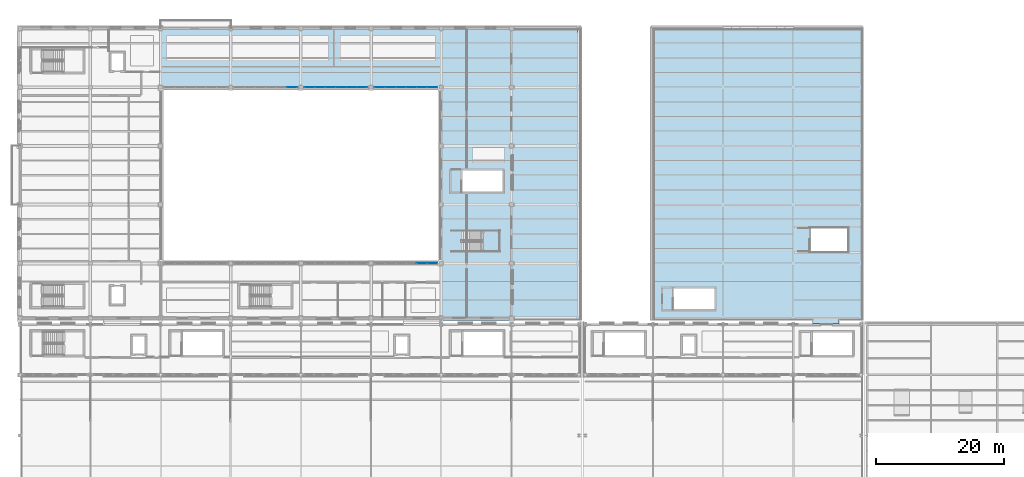
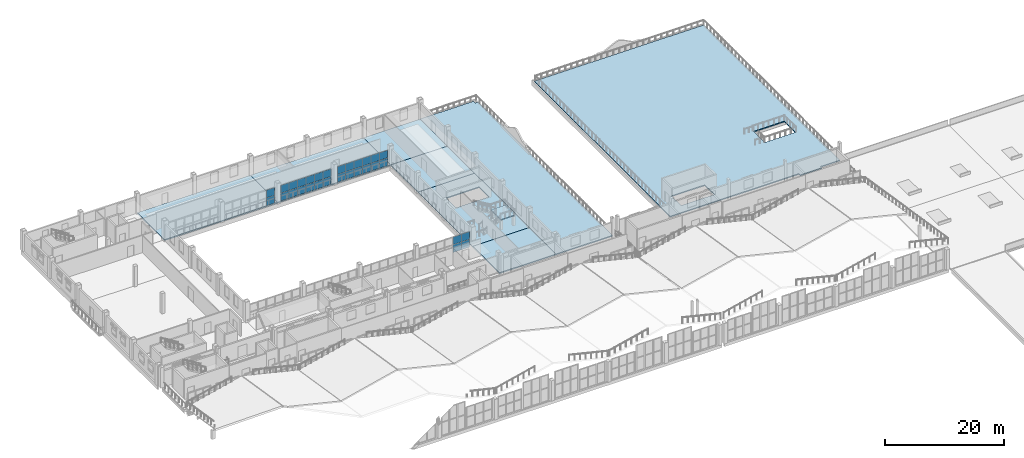
# One storey, part 87 of 120: 30 plates, 9 slabs, 5 elements without a shape of their own.
"""IFC4 building model written with IfcOpenShell, lengths in metres."""

from ifc_helpers import new_model, si_unit, direction, frame, origin, origin_2d, place, context, subcontext, project, spatial, polyline, rectangle, outline, extrude, material, layer, layer_set, type_object, element, aggregate, save


model = new_model("IFC4")

# Units and contexts
model_context = context("Model", 3, precision=1e-05, world=origin(), true_north=direction((0.0, 1.0)))
body_context = subcontext(model_context, "Body", "Model", "MODEL_VIEW")
ifc_project = project(units=[si_unit("LENGTHUNIT", "METRE"), si_unit("AREAUNIT", "SQUARE_METRE"), si_unit("VOLUMEUNIT", "CUBIC_METRE"), si_unit("PLANEANGLEUNIT", "RADIAN"), si_unit("MASSUNIT", "GRAM", prefix="KILO")], contexts=[model_context])

# Site, building, storey
site_placement = place(None, origin())
site = spatial("IfcSite", under=ifc_project, at=site_placement, CompositionType="ELEMENT")
building_placement = place(site_placement, origin())
building = spatial("IfcBuilding", under=site, at=building_placement, Name="Caurita Quay Ferry Terminal", CompositionType="ELEMENT")
storey_placement = place(building_placement, frame((0.0, 0.0, 9.89990234375)))
storey = spatial("IfcBuildingStorey", under=building, at=storey_placement, Name="L02", CompositionType="ELEMENT", Elevation=9.89990234375)

# Curtain wall, plates
ifc_material_1 = material(Name="Laminated solar-control insulated glass", Category="glass")
curtain_wall_type = type_object("IfcCurtainWallType", Name="CW-SYS-24", PredefinedType="NOTDEFINED", material=ifc_material_1)
curtain_wall_1_placement = place(storey_placement, origin())
curtain_wall_1 = element("IfcCurtainWall", 1, at=curtain_wall_1_placement, inside=storey, type_object=curtain_wall_type, Name="L02 Courtyard Cloister Storefront 167", PredefinedType="NOTDEFINED")
ifc_layer_1 = layer(ifc_material_1, 0.02392578125, Name="Laminated low-e hurricane-rated glazing unit 24 mm")
ifc_layer_set_1 = layer_set([ifc_layer_1], Name="Laminated solar-control insulated glass")
plate_type = type_object("IfcPlateType", Name="CW-PNL-24", PredefinedType="CURTAIN_PANEL", material=ifc_layer_set_1)
plate_1_placement = place(storey_placement, frame((62.97509765625, 80.199951171875, 0.05810546875), z_axis=(0.0, 0.0, 1.0), x_axis=(1.0, 0.0, 0.0)))
plate_1 = element("IfcPlate", 2, at=plate_1_placement, type_object=plate_type, Name="CW-CRT-167 Glazing Panel 9", PredefinedType="CURTAIN_PANEL", context=body_context, shape_type="SweptSolid", body=[
    extrude(rectangle(XDim=1.593994140625, YDim=0.02392578125, at=origin_2d()), origin(), (0.0, 0.0, 1.0), 1.56396484375),
])
plate_2_placement = place(storey_placement, frame((62.97509765625, 80.199951171875, 1.67822265625), z_axis=(0.0, 0.0, 1.0), x_axis=(1.0, 0.0, 0.0)))
plate_2 = element("IfcPlate", 3, at=plate_2_placement, type_object=plate_type, Name="CW-CRT-167 Glazing Panel 10", PredefinedType="CURTAIN_PANEL", context=body_context, shape_type="SweptSolid", body=[
    extrude(rectangle(XDim=1.593994140625, YDim=0.02392578125, at=origin_2d()), origin(), (0.0, 0.0, 1.0), 1.56396484375),
])
plate_3_placement = place(storey_placement, frame((64.610107421875, 80.199951171875, 0.05810546875), z_axis=(0.0, 0.0, 1.0), x_axis=(1.0, 0.0, 0.0)))
plate_3 = element("IfcPlate", 4, at=plate_3_placement, type_object=plate_type, Name="CW-CRT-167 Glazing Panel 11", PredefinedType="CURTAIN_PANEL", context=body_context, shape_type="SweptSolid", body=[
    extrude(rectangle(XDim=1.56396484375, YDim=0.02392578125, at=origin_2d()), origin(), (0.0, 0.0, 1.0), 1.56396484375),
])
plate_4_placement = place(storey_placement, frame((64.610107421875, 80.199951171875, 1.67822265625), z_axis=(0.0, 0.0, 1.0), x_axis=(1.0, 0.0, 0.0)))
plate_4 = element("IfcPlate", 5, at=plate_4_placement, type_object=plate_type, Name="CW-CRT-167 Glazing Panel 12", PredefinedType="CURTAIN_PANEL", context=body_context, shape_type="SweptSolid", body=[
    extrude(rectangle(XDim=1.56396484375, YDim=0.02392578125, at=origin_2d()), origin(), (0.0, 0.0, 1.0), 1.56396484375),
])
aggregate(curtain_wall_1, [plate_1, plate_2, plate_3, plate_4])

curtain_wall_2_placement = place(storey_placement, origin())
curtain_wall_2 = element("IfcCurtainWall", 6, at=curtain_wall_2_placement, inside=storey, type_object=curtain_wall_type, Name="L02 Courtyard Cloister Storefront 169", PredefinedType="NOTDEFINED")
plate_5_placement = place(storey_placement, frame((42.610107421875, 107.800048828125, 0.05810546875), z_axis=(0.0, 0.0, 1.0), x_axis=(1.0, 0.0, 0.0)))
plate_5 = element("IfcPlate", 7, at=plate_5_placement, type_object=plate_type, Name="CW-CRT-169 Glazing Panel 11", PredefinedType="CURTAIN_PANEL", context=body_context, shape_type="SweptSolid", body=[
    extrude(rectangle(XDim=1.56396484375, YDim=0.02392578125, at=origin_2d()), origin(), (0.0, 0.0, 1.0), 1.56396484375),
])
plate_6_placement = place(storey_placement, frame((42.610107421875, 107.800048828125, 1.67822265625), z_axis=(0.0, 0.0, 1.0), x_axis=(1.0, 0.0, 0.0)))
plate_6 = element("IfcPlate", 8, at=plate_6_placement, type_object=plate_type, Name="CW-CRT-169 Glazing Panel 12", PredefinedType="CURTAIN_PANEL", context=body_context, shape_type="SweptSolid", body=[
    extrude(rectangle(XDim=1.56396484375, YDim=0.02392578125, at=origin_2d()), origin(), (0.0, 0.0, 1.0), 1.56396484375),
])
aggregate(curtain_wall_2, [plate_5, plate_6])

curtain_wall_3_placement = place(storey_placement, origin())
curtain_wall_3 = element("IfcCurtainWall", 9, at=curtain_wall_3_placement, inside=storey, type_object=curtain_wall_type, Name="L02 Courtyard Cloister Storefront 170", PredefinedType="NOTDEFINED")
plate_7_placement = place(storey_placement, frame((45.389892578125, 107.800048828125, 0.05810546875), z_axis=(0.0, 0.0, 1.0), x_axis=(1.0, 0.0, 0.0)))
plate_7 = element("IfcPlate", 10, at=plate_7_placement, type_object=plate_type, Name="CW-CRT-170 Glazing Panel 1", PredefinedType="CURTAIN_PANEL", context=body_context, shape_type="SweptSolid", body=[
    extrude(rectangle(XDim=1.56396484375, YDim=0.02392578125, at=origin_2d()), origin(), (0.0, 0.0, 1.0), 1.56396484375),
])
plate_8_placement = place(storey_placement, frame((45.389892578125, 107.800048828125, 1.67822265625), z_axis=(0.0, 0.0, 1.0), x_axis=(1.0, 0.0, 0.0)))
plate_8 = element("IfcPlate", 11, at=plate_8_placement, type_object=plate_type, Name="CW-CRT-170 Glazing Panel 2", PredefinedType="CURTAIN_PANEL", context=body_context, shape_type="SweptSolid", body=[
    extrude(rectangle(XDim=1.56396484375, YDim=0.02392578125, at=origin_2d()), origin(), (0.0, 0.0, 1.0), 1.56396484375),
])
plate_9_placement = place(storey_placement, frame((47.02490234375, 107.800048828125, 0.05810546875), z_axis=(0.0, 0.0, 1.0), x_axis=(1.0, 0.0, 0.0)))
plate_9 = element("IfcPlate", 12, at=plate_9_placement, type_object=plate_type, Name="CW-CRT-170 Glazing Panel 3", PredefinedType="CURTAIN_PANEL", context=body_context, shape_type="SweptSolid", body=[
    extrude(rectangle(XDim=1.593994140625, YDim=0.02392578125, at=origin_2d()), origin(), (0.0, 0.0, 1.0), 1.56396484375),
])
plate_10_placement = place(storey_placement, frame((47.02490234375, 107.800048828125, 1.67822265625), z_axis=(0.0, 0.0, 1.0), x_axis=(1.0, 0.0, 0.0)))
plate_10 = element("IfcPlate", 13, at=plate_10_placement, type_object=plate_type, Name="CW-CRT-170 Glazing Panel 4", PredefinedType="CURTAIN_PANEL", context=body_context, shape_type="SweptSolid", body=[
    extrude(rectangle(XDim=1.593994140625, YDim=0.02392578125, at=origin_2d()), origin(), (0.0, 0.0, 1.0), 1.56396484375),
])
plate_11_placement = place(storey_placement, frame((48.675048828125, 107.800048828125, 0.05810546875), z_axis=(0.0, 0.0, 1.0), x_axis=(1.0, 0.0, 0.0)))
plate_11 = element("IfcPlate", 14, at=plate_11_placement, type_object=plate_type, Name="CW-CRT-170 Glazing Panel 5", PredefinedType="CURTAIN_PANEL", context=body_context, shape_type="SweptSolid", body=[
    extrude(rectangle(XDim=1.593994140625, YDim=0.02392578125, at=origin_2d()), origin(), (0.0, 0.0, 1.0), 1.56396484375),
])
plate_12_placement = place(storey_placement, frame((48.675048828125, 107.800048828125, 1.67822265625), z_axis=(0.0, 0.0, 1.0), x_axis=(1.0, 0.0, 0.0)))
plate_12 = element("IfcPlate", 15, at=plate_12_placement, type_object=plate_type, Name="CW-CRT-170 Glazing Panel 6", PredefinedType="CURTAIN_PANEL", context=body_context, shape_type="SweptSolid", body=[
    extrude(rectangle(XDim=1.593994140625, YDim=0.02392578125, at=origin_2d()), origin(), (0.0, 0.0, 1.0), 1.56396484375),
])
plate_13_placement = place(storey_placement, frame((50.324951171875, 107.800048828125, 0.05810546875), z_axis=(0.0, 0.0, 1.0), x_axis=(1.0, 0.0, 0.0)))
plate_13 = element("IfcPlate", 16, at=plate_13_placement, type_object=plate_type, Name="CW-CRT-170 Glazing Panel 7", PredefinedType="CURTAIN_PANEL", context=body_context, shape_type="SweptSolid", body=[
    extrude(rectangle(XDim=1.593994140625, YDim=0.02392578125, at=origin_2d()), origin(), (0.0, 0.0, 1.0), 1.56396484375),
])
plate_14_placement = place(storey_placement, frame((50.324951171875, 107.800048828125, 1.67822265625), z_axis=(0.0, 0.0, 1.0), x_axis=(1.0, 0.0, 0.0)))
plate_14 = element("IfcPlate", 17, at=plate_14_placement, type_object=plate_type, Name="CW-CRT-170 Glazing Panel 8", PredefinedType="CURTAIN_PANEL", context=body_context, shape_type="SweptSolid", body=[
    extrude(rectangle(XDim=1.593994140625, YDim=0.02392578125, at=origin_2d()), origin(), (0.0, 0.0, 1.0), 1.56396484375),
])
plate_15_placement = place(storey_placement, frame((51.97509765625, 107.800048828125, 0.05810546875), z_axis=(0.0, 0.0, 1.0), x_axis=(1.0, 0.0, 0.0)))
plate_15 = element("IfcPlate", 18, at=plate_15_placement, type_object=plate_type, Name="CW-CRT-170 Glazing Panel 9", PredefinedType="CURTAIN_PANEL", context=body_context, shape_type="SweptSolid", body=[
    extrude(rectangle(XDim=1.593994140625, YDim=0.02392578125, at=origin_2d()), origin(), (0.0, 0.0, 1.0), 1.56396484375),
])
plate_16_placement = place(storey_placement, frame((51.97509765625, 107.800048828125, 1.67822265625), z_axis=(0.0, 0.0, 1.0), x_axis=(1.0, 0.0, 0.0)))
plate_16 = element("IfcPlate", 19, at=plate_16_placement, type_object=plate_type, Name="CW-CRT-170 Glazing Panel 10", PredefinedType="CURTAIN_PANEL", context=body_context, shape_type="SweptSolid", body=[
    extrude(rectangle(XDim=1.593994140625, YDim=0.02392578125, at=origin_2d()), origin(), (0.0, 0.0, 1.0), 1.56396484375),
])
plate_17_placement = place(storey_placement, frame((53.610107421875, 107.800048828125, 0.05810546875), z_axis=(0.0, 0.0, 1.0), x_axis=(1.0, 0.0, 0.0)))
plate_17 = element("IfcPlate", 20, at=plate_17_placement, type_object=plate_type, Name="CW-CRT-170 Glazing Panel 11", PredefinedType="CURTAIN_PANEL", context=body_context, shape_type="SweptSolid", body=[
    extrude(rectangle(XDim=1.56396484375, YDim=0.02392578125, at=origin_2d()), origin(), (0.0, 0.0, 1.0), 1.56396484375),
])
plate_18_placement = place(storey_placement, frame((53.610107421875, 107.800048828125, 1.67822265625), z_axis=(0.0, 0.0, 1.0), x_axis=(1.0, 0.0, 0.0)))
plate_18 = element("IfcPlate", 21, at=plate_18_placement, type_object=plate_type, Name="CW-CRT-170 Glazing Panel 12", PredefinedType="CURTAIN_PANEL", context=body_context, shape_type="SweptSolid", body=[
    extrude(rectangle(XDim=1.56396484375, YDim=0.02392578125, at=origin_2d()), origin(), (0.0, 0.0, 1.0), 1.56396484375),
])
aggregate(curtain_wall_3, [plate_7, plate_8, plate_9, plate_10, plate_11, plate_12, plate_13, plate_14, plate_15, plate_16, plate_17, plate_18])

curtain_wall_4_placement = place(storey_placement, origin())
curtain_wall_4 = element("IfcCurtainWall", 22, at=curtain_wall_4_placement, inside=storey, type_object=curtain_wall_type, Name="L02 Courtyard Cloister Storefront 171", PredefinedType="NOTDEFINED")
plate_19_placement = place(storey_placement, frame((56.389892578125, 107.800048828125, 0.05810546875), z_axis=(0.0, 0.0, 1.0), x_axis=(1.0, 0.0, 0.0)))
plate_19 = element("IfcPlate", 23, at=plate_19_placement, type_object=plate_type, Name="CW-CRT-171 Glazing Panel 1", PredefinedType="CURTAIN_PANEL", context=body_context, shape_type="SweptSolid", body=[
    extrude(rectangle(XDim=1.56396484375, YDim=0.02392578125, at=origin_2d()), origin(), (0.0, 0.0, 1.0), 1.56396484375),
])
plate_20_placement = place(storey_placement, frame((56.389892578125, 107.800048828125, 1.67822265625), z_axis=(0.0, 0.0, 1.0), x_axis=(1.0, 0.0, 0.0)))
plate_20 = element("IfcPlate", 24, at=plate_20_placement, type_object=plate_type, Name="CW-CRT-171 Glazing Panel 2", PredefinedType="CURTAIN_PANEL", context=body_context, shape_type="SweptSolid", body=[
    extrude(rectangle(XDim=1.56396484375, YDim=0.02392578125, at=origin_2d()), origin(), (0.0, 0.0, 1.0), 1.56396484375),
])
plate_21_placement = place(storey_placement, frame((58.02490234375, 107.800048828125, 0.05810546875), z_axis=(0.0, 0.0, 1.0), x_axis=(1.0, 0.0, 0.0)))
plate_21 = element("IfcPlate", 25, at=plate_21_placement, type_object=plate_type, Name="CW-CRT-171 Glazing Panel 3", PredefinedType="CURTAIN_PANEL", context=body_context, shape_type="SweptSolid", body=[
    extrude(rectangle(XDim=1.593994140625, YDim=0.02392578125, at=origin_2d()), origin(), (0.0, 0.0, 1.0), 1.56396484375),
])
plate_22_placement = place(storey_placement, frame((58.02490234375, 107.800048828125, 1.67822265625), z_axis=(0.0, 0.0, 1.0), x_axis=(1.0, 0.0, 0.0)))
plate_22 = element("IfcPlate", 26, at=plate_22_placement, type_object=plate_type, Name="CW-CRT-171 Glazing Panel 4", PredefinedType="CURTAIN_PANEL", context=body_context, shape_type="SweptSolid", body=[
    extrude(rectangle(XDim=1.593994140625, YDim=0.02392578125, at=origin_2d()), origin(), (0.0, 0.0, 1.0), 1.56396484375),
])
plate_23_placement = place(storey_placement, frame((59.675048828125, 107.800048828125, 0.05810546875), z_axis=(0.0, 0.0, 1.0), x_axis=(1.0, 0.0, 0.0)))
plate_23 = element("IfcPlate", 27, at=plate_23_placement, type_object=plate_type, Name="CW-CRT-171 Glazing Panel 5", PredefinedType="CURTAIN_PANEL", context=body_context, shape_type="SweptSolid", body=[
    extrude(rectangle(XDim=1.593994140625, YDim=0.02392578125, at=origin_2d()), origin(), (0.0, 0.0, 1.0), 1.56396484375),
])
plate_24_placement = place(storey_placement, frame((59.675048828125, 107.800048828125, 1.67822265625), z_axis=(0.0, 0.0, 1.0), x_axis=(1.0, 0.0, 0.0)))
plate_24 = element("IfcPlate", 28, at=plate_24_placement, type_object=plate_type, Name="CW-CRT-171 Glazing Panel 6", PredefinedType="CURTAIN_PANEL", context=body_context, shape_type="SweptSolid", body=[
    extrude(rectangle(XDim=1.593994140625, YDim=0.02392578125, at=origin_2d()), origin(), (0.0, 0.0, 1.0), 1.56396484375),
])
plate_25_placement = place(storey_placement, frame((61.324951171875, 107.800048828125, 0.05810546875), z_axis=(0.0, 0.0, 1.0), x_axis=(1.0, 0.0, 0.0)))
plate_25 = element("IfcPlate", 29, at=plate_25_placement, type_object=plate_type, Name="CW-CRT-171 Glazing Panel 7", PredefinedType="CURTAIN_PANEL", context=body_context, shape_type="SweptSolid", body=[
    extrude(rectangle(XDim=1.593994140625, YDim=0.02392578125, at=origin_2d()), origin(), (0.0, 0.0, 1.0), 1.56396484375),
])
plate_26_placement = place(storey_placement, frame((61.324951171875, 107.800048828125, 1.67822265625), z_axis=(0.0, 0.0, 1.0), x_axis=(1.0, 0.0, 0.0)))
plate_26 = element("IfcPlate", 30, at=plate_26_placement, type_object=plate_type, Name="CW-CRT-171 Glazing Panel 8", PredefinedType="CURTAIN_PANEL", context=body_context, shape_type="SweptSolid", body=[
    extrude(rectangle(XDim=1.593994140625, YDim=0.02392578125, at=origin_2d()), origin(), (0.0, 0.0, 1.0), 1.56396484375),
])
plate_27_placement = place(storey_placement, frame((62.97509765625, 107.800048828125, 0.05810546875), z_axis=(0.0, 0.0, 1.0), x_axis=(1.0, 0.0, 0.0)))
plate_27 = element("IfcPlate", 31, at=plate_27_placement, type_object=plate_type, Name="CW-CRT-171 Glazing Panel 9", PredefinedType="CURTAIN_PANEL", context=body_context, shape_type="SweptSolid", body=[
    extrude(rectangle(XDim=1.593994140625, YDim=0.02392578125, at=origin_2d()), origin(), (0.0, 0.0, 1.0), 1.56396484375),
])
plate_28_placement = place(storey_placement, frame((62.97509765625, 107.800048828125, 1.67822265625), z_axis=(0.0, 0.0, 1.0), x_axis=(1.0, 0.0, 0.0)))
plate_28 = element("IfcPlate", 32, at=plate_28_placement, type_object=plate_type, Name="CW-CRT-171 Glazing Panel 10", PredefinedType="CURTAIN_PANEL", context=body_context, shape_type="SweptSolid", body=[
    extrude(rectangle(XDim=1.593994140625, YDim=0.02392578125, at=origin_2d()), origin(), (0.0, 0.0, 1.0), 1.56396484375),
])
plate_29_placement = place(storey_placement, frame((64.610107421875, 107.800048828125, 0.05810546875), z_axis=(0.0, 0.0, 1.0), x_axis=(1.0, 0.0, 0.0)))
plate_29 = element("IfcPlate", 33, at=plate_29_placement, type_object=plate_type, Name="CW-CRT-171 Glazing Panel 11", PredefinedType="CURTAIN_PANEL", context=body_context, shape_type="SweptSolid", body=[
    extrude(rectangle(XDim=1.56396484375, YDim=0.02392578125, at=origin_2d()), origin(), (0.0, 0.0, 1.0), 1.56396484375),
])
plate_30_placement = place(storey_placement, frame((64.610107421875, 107.800048828125, 1.67822265625), z_axis=(0.0, 0.0, 1.0), x_axis=(1.0, 0.0, 0.0)))
plate_30 = element("IfcPlate", 34, at=plate_30_placement, type_object=plate_type, Name="CW-CRT-171 Glazing Panel 12", PredefinedType="CURTAIN_PANEL", context=body_context, shape_type="SweptSolid", body=[
    extrude(rectangle(XDim=1.56396484375, YDim=0.02392578125, at=origin_2d()), origin(), (0.0, 0.0, 1.0), 1.56396484375),
])
aggregate(curtain_wall_4, [plate_19, plate_20, plate_21, plate_22, plate_23, plate_24, plate_25, plate_26, plate_27, plate_28, plate_29, plate_30])

# Slabs
ifc_material_2 = material(Name="Reinforced concrete C35/45", Category="concrete")
ifc_layer_2 = layer(ifc_material_2, 0.219970703125, Name="Reinforced concrete floor slab 220 mm")
ifc_layer_set_2 = layer_set([ifc_layer_2], Name="Reinforced concrete C35/45")
slab_type_1 = type_object("IfcSlabType", Name="SLB-FLR-220", PredefinedType="FLOOR", material=ifc_layer_set_2)
slab_1_placement = place(storey_placement, frame((0.0, 0.0, -0.219970703125)))
element("IfcSlab", 35, at=slab_1_placement, inside=storey, type_object=slab_type_1, Name="L02 V5-FLR Slab 06", PredefinedType="FLOOR", context=body_context, shape_type="SweptSolid", body=[
    extrude(outline(polyline([(22.0, 107.800048828125), (44.0, 107.800048828125), (44.0, 117.0), (22.0, 117.0), (22.0, 107.800048828125)])), origin(), (0.0, 0.0, 1.0), 0.219970703125),
])
slab_2_placement = place(storey_placement, frame((0.0, 0.0, -0.219970703125)))
element("IfcSlab", 36, at=slab_2_placement, inside=storey, type_object=slab_type_1, Name="L02 V5-FLR Slab 08", PredefinedType="FLOOR", context=body_context, shape_type="SweptSolid", body=[
    extrude(outline(polyline([(44.0, 107.800048828125), (66.0, 107.800048828125), (66.0, 117.0), (44.0, 117.0), (44.0, 107.800048828125)])), origin(), (0.0, 0.0, 1.0), 0.219970703125),
])
slab_3_placement = place(storey_placement, frame((0.0, 0.0, -0.219970703125)))
element("IfcSlab", 37, at=slab_3_placement, inside=storey, type_object=slab_type_1, Name="L02 V5-FLR Slab 09", PredefinedType="FLOOR", context=body_context, shape_type="SweptSolid", body=[
    extrude(outline(polyline([(66.0, 71.199951171875), (77.0, 71.199951171875), (77.0, 80.199951171875), (66.0, 80.199951171875), (66.0, 71.199951171875)])), origin(), (0.0, 0.0, 1.0), 0.219970703125),
])
slab_4_placement = place(storey_placement, frame((0.0, 0.0, -0.219970703125)))
element("IfcSlab", 38, at=slab_4_placement, inside=storey, type_object=slab_type_1, Name="L02 V5-FLR Slab 10", PredefinedType="FLOOR", context=body_context, shape_type="SweptSolid", body=[
    extrude(outline(polyline([(66.0, 80.199951171875), (77.0, 80.199951171875), (77.0, 98.60009765625), (66.0, 98.60009765625), (66.0, 80.199951171875)]), holes=[polyline([(69.199951171875, 91.39990234375), (75.64990234375, 91.39990234375), (75.64990234375, 94.760009765625), (69.199951171875, 94.760009765625), (69.199951171875, 91.39990234375)])]), origin(), (0.0, 0.0, 1.0), 0.219970703125),
])
slab_5_placement = place(storey_placement, frame((0.0, 0.0, -0.219970703125)))
element("IfcSlab", 39, at=slab_5_placement, inside=storey, type_object=slab_type_1, Name="L02 V5-FLR Slab 11", PredefinedType="FLOOR", context=body_context, shape_type="SweptSolid", body=[
    extrude(outline(polyline([(66.0, 98.60009765625), (77.0, 98.60009765625), (77.0, 107.800048828125), (66.0, 107.800048828125), (66.0, 98.60009765625)])), origin(), (0.0, 0.0, 1.0), 0.219970703125),
])
slab_6_placement = place(storey_placement, frame((0.0, 0.0, -0.219970703125)))
element("IfcSlab", 40, at=slab_6_placement, inside=storey, type_object=slab_type_1, Name="L02 V5-FLR Slab 12", PredefinedType="FLOOR", context=body_context, shape_type="SweptSolid", body=[
    extrude(outline(polyline([(66.0, 107.800048828125), (77.0, 107.800048828125), (77.0, 117.0), (66.0, 117.0), (66.0, 107.800048828125)])), origin(), (0.0, 0.0, 1.0), 0.219970703125),
])

# Stair, slab
stair_type = type_object("IfcStairType", Name="STR-DL-06", PredefinedType="HALF_TURN_STAIR", material=ifc_material_2)
stair_placement = place(storey_placement, origin())
stair = element("IfcStair", 41, at=stair_placement, inside=storey, type_object=stair_type, Name="L02 Promenade Stair ST-14", PredefinedType="HALF_TURN_STAIR")
ifc_layer_3 = layer(ifc_material_2, 0.199951171875, Name="Reinforced concrete landing slab 200 mm")
ifc_layer_set_3 = layer_set([ifc_layer_3], Name="Reinforced concrete C35/45")
slab_type_2 = type_object("IfcSlabType", Name="SLB-LND-200", PredefinedType="LANDING", material=ifc_layer_set_3)
slab_7_placement = place(storey_placement, frame((0.0, 0.0, 1.900146484375)))
slab_7 = element("IfcSlab", 42, at=slab_7_placement, type_object=slab_type_2, Name="ST-14 landing 1", PredefinedType="LANDING", context=body_context, shape_type="SweptSolid", body=[
    extrude(outline(polyline([(72.5, 82.0), (75.199951171875, 82.0), (75.199951171875, 85.360107421875), (72.5, 85.360107421875), (72.5, 82.0)])), origin(), (0.0, 0.0, 1.0), 0.199951171875),
])
aggregate(stair, [slab_7])

# Slabs
ifc_layer_4 = layer(ifc_material_2, 0.2099609375, Name="Reinforced concrete roof slab 210 mm")
ifc_layer_set_4 = layer_set([ifc_layer_4], Name="Reinforced concrete C35/45")
slab_type_3 = type_object("IfcSlabType", Name="SLB-RF-210", PredefinedType="ROOF", material=ifc_layer_set_4)
slab_8_placement = place(storey_placement, frame((0.0, 0.0, -0.2099609375)))
element("IfcSlab", 43, at=slab_8_placement, inside=storey, type_object=slab_type_3, Name="West Upper Walkable Roof Garden", PredefinedType="ROOF", context=body_context, shape_type="SweptSolid", body=[
    extrude(outline(polyline([(99.199951171875, 71.199951171875), (124.199951171875, 71.199951171875), (124.199951171875, 70.760009765625), (128.39990234375, 70.760009765625), (128.39990234375, 71.199951171875), (132.199951171875, 71.199951171875), (132.199951171875, 117.0), (99.199951171875, 117.0), (99.199951171875, 71.199951171875)]), holes=[polyline([(102.35009765625, 73.0), (108.85009765625, 73.0), (108.85009765625, 76.260009765625), (102.35009765625, 76.260009765625), (102.35009765625, 73.0)]), polyline([(123.800048828125, 82.0), (129.800048828125, 82.0), (129.800048828125, 85.760009765625), (123.800048828125, 85.760009765625), (123.800048828125, 82.0)])]), origin(), (0.0, 0.0, 1.0), 0.2099609375),
])
slab_9_placement = place(storey_placement, frame((0.0, 0.0, -0.2099609375)))
element("IfcSlab", 44, at=slab_9_placement, inside=storey, type_object=slab_type_3, Name="Colonial Roof Terrace", PredefinedType="ROOF", context=body_context, shape_type="SweptSolid", body=[
    extrude(outline(polyline([(77.0, 71.199951171875), (88.0, 71.199951171875), (88.0, 116.39990234375), (87.39990234375, 116.39990234375), (87.39990234375, 117.0), (77.0, 117.0), (77.0, 71.199951171875)])), origin(), (0.0, 0.0, 1.0), 0.2099609375),
])

save(model, "model.ifc")
